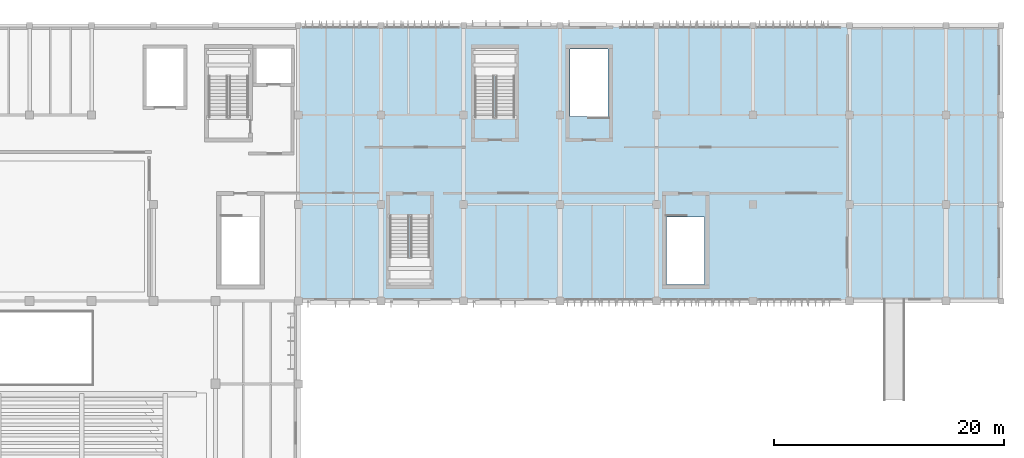
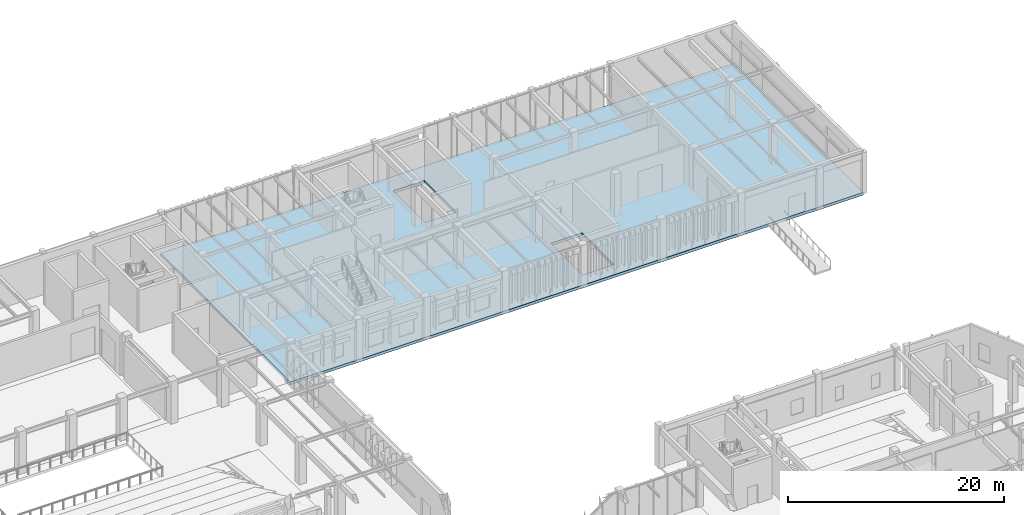
# One storey, part 29 of 122: 1 slab.
"""IFC4 building model written with IfcOpenShell, lengths in metres."""

from ifc_helpers import new_model, si_unit, direction, frame, origin, place, context, subcontext, project, spatial, polyline, outline, extrude, material, layer, layer_set, type_object, element, save


model = new_model("IFC4")

# Units and contexts
model_context = context("Model", 3, precision=1e-05, world=origin(), true_north=direction((0.0, 1.0)))
body_context = subcontext(model_context, "Body", "Model", "MODEL_VIEW")
ifc_project = project(units=[si_unit("LENGTHUNIT", "METRE"), si_unit("AREAUNIT", "SQUARE_METRE"), si_unit("VOLUMEUNIT", "CUBIC_METRE"), si_unit("PLANEANGLEUNIT", "RADIAN"), si_unit("MASSUNIT", "GRAM", prefix="KILO")], contexts=[model_context])

# Site, building, storey
site_placement = place(None, origin())
site = spatial("IfcSite", under=ifc_project, at=site_placement, CompositionType="ELEMENT")
building_placement = place(site_placement, origin())
building = spatial("IfcBuilding", under=site, at=building_placement, Name="Tazoul Stagehouse", CompositionType="ELEMENT")
storey_placement = place(building_placement, origin())
storey = spatial("IfcBuildingStorey", under=building, at=storey_placement, Name="L00", CompositionType="ELEMENT", Elevation=0.0)

# Slab
ifc_material = material(Name="Concrete C35/45", Category="concrete")
ifc_layer = layer(ifc_material, 0.320068359375, Name="Concrete C35/45")
ifc_layer_set = layer_set([ifc_layer], Name="Concrete C35/45")
slab_type = type_object("IfcSlabType", Name="Stagehouse Heavy Slab 320", PredefinedType="FLOOR", material=ifc_layer_set)
slab_placement = place(storey_placement, frame((0.0, 0.0, -0.320068359375)))
element("IfcSlab", 1, at=slab_placement, inside=storey, type_object=slab_type, Name="L00 Stagehouse Heavy Slab 320 (V3)", PredefinedType="FLOOR", context=body_context, shape_type="SweptSolid", body=[
    extrude(outline(polyline([(102.60009765625, 87.800048828125), (102.60009765625, 111.800048828125), (163.800048828125, 111.800048828125), (163.800048828125, 87.800048828125), (102.60009765625, 87.800048828125)]), holes=[polyline([(137.989990234375, 95.139892578125), (137.989990234375, 89.260009765625), (134.659912109375, 89.260009765625), (134.659912109375, 95.139892578125), (137.989990234375, 95.139892578125)]), polyline([(126.260009765625, 103.860107421875), (126.260009765625, 109.739990234375), (129.590087890625, 109.739990234375), (129.590087890625, 103.860107421875), (126.260009765625, 103.860107421875)])]), origin(), (0.0, 0.0, 1.0), 0.320068359375),
])

save(model, "model.ifc")
